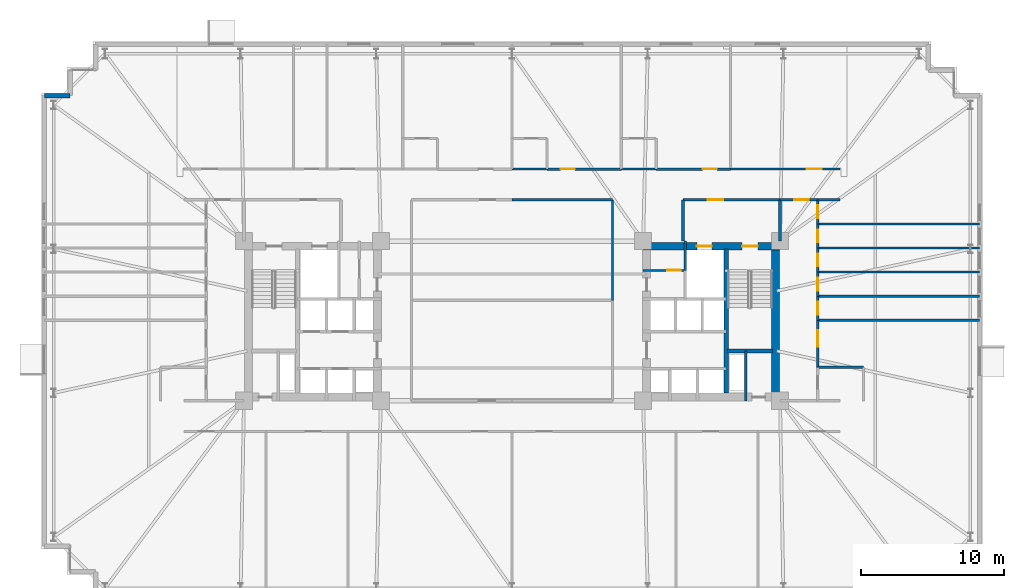
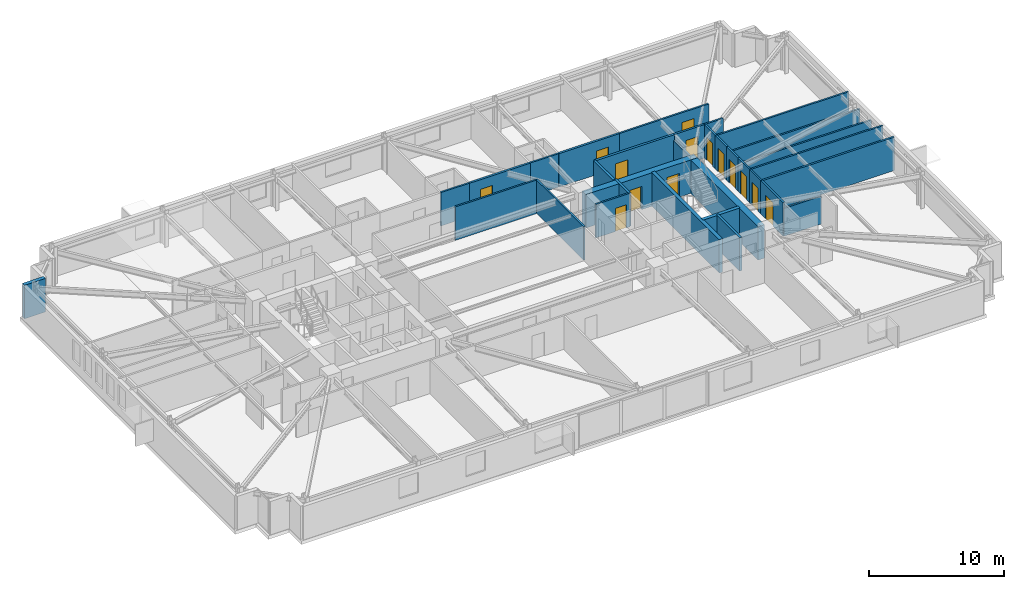
# One storey, part 21 of 26: 32 walls, 14 doors, 14 openings.
"""IFC4 building model written with IfcOpenShell, lengths in metres."""

from ifc_helpers import new_model, si_unit, direction, frame, frame_2d, origin, place, context, subcontext, project, spatial, rectangle, extrude, material, layer, layer_set, type_object, element, fill, save


model = new_model("IFC4")

# Units and contexts
model_context = context("Model", 3, precision=1e-05, world=origin(), true_north=direction((0.0, 1.0)))
body_context = subcontext(model_context, "Body", "Model", "MODEL_VIEW")
ifc_project = project(units=[si_unit("LENGTHUNIT", "METRE"), si_unit("AREAUNIT", "SQUARE_METRE"), si_unit("VOLUMEUNIT", "CUBIC_METRE"), si_unit("PLANEANGLEUNIT", "RADIAN"), si_unit("MASSUNIT", "GRAM", prefix="KILO")], contexts=[model_context])

# Site, building, storey
site_placement = place(None, origin())
site = spatial("IfcSite", under=ifc_project, at=site_placement, CompositionType="ELEMENT")
building_placement = place(site_placement, origin())
building = spatial("IfcBuilding", under=site, at=building_placement, Name="Qobustan Lattice House", CompositionType="ELEMENT")
storey_placement = place(building_placement, frame((0.0, 0.0, 47.10009765625)))
storey = spatial("IfcBuildingStorey", under=building, at=storey_placement, Name="L12", CompositionType="ELEMENT", Elevation=47.10009765625)

# Wall, openings, doors
ifc_material_1 = material(Name="Concrete C60/75", Category="concrete")
ifc_layer_1 = layer(ifc_material_1, 0.56005859375)
ifc_layer_set_1 = layer_set([ifc_layer_1], Name="Concrete C60/75")
wall_type_1 = type_object("IfcWallType", Name="WAL-CORE-600", PredefinedType="SHEAR", material=ifc_layer_set_1)
wall_1_placement = place(storey_placement, frame((9.199951171875, 5.239990234375, 0.0), z_axis=(0.0, 0.0, 1.0), x_axis=(1.0, 0.0, 0.0)))
wall_1 = element("IfcWall", 1, at=wall_1_placement, inside=storey, type_object=wall_type_1, Name="L12 split-core shear wall CE-N", PredefinedType="SHEAR", context=body_context, shape_type="SweptSolid", body=[
    extrude(rectangle(XDim=9.60009765625, YDim=0.56005859375, at=frame_2d((4.800048828125, 0.0))), origin(), (0.0, 0.0, 1.0), 3.034912109375),
])
opening_1_placement = place(wall_1_placement, frame((6.949951171875, 0.0, 0.0)))
opening_1 = element("IfcOpeningElement", 2, at=opening_1_placement, cuts=wall_1, Name="Opening SD-01", PredefinedType="OPENING", context=body_context, shape_type="SweptSolid", body=[
    extrude(rectangle(XDim=1.10009765625, YDim=2.14990234375, at=frame_2d((0.550048828125, 1.074951171875))), frame((0.0, 0.2900390625, 0.0), z_axis=(0.0, -1.0, 0.0), x_axis=(1.0, 0.0, 0.0)), (0.0, 0.0, 1.0), 0.580078125),
])
opening_2_placement = place(wall_1_placement, frame((3.77490234375, 0.0, 0.0)))
opening_2 = element("IfcOpeningElement", 3, at=opening_2_placement, cuts=wall_1, Name="Opening LD-01", PredefinedType="OPENING", context=body_context, shape_type="SweptSolid", body=[
    extrude(rectangle(XDim=1.050048828125, YDim=2.10009765625, at=frame_2d((0.52490234375, 1.050048828125))), frame((0.0, 0.2900390625, 0.0), z_axis=(0.0, -1.0, 0.0), x_axis=(1.0, 0.0, 0.0)), (0.0, 0.0, 1.0), 0.580078125),
])
ifc_material_2 = material(Name="Persian walnut timber and steel frame door", Category="steel")
door_type_1 = type_object("IfcDoorType", Name="DOR-LIFT-LD-1050x2100", OperationType="NOTDEFINED", PredefinedType="DOOR", material=ifc_material_2)
door_1_placement = place(opening_2_placement, origin())
door_1 = element("IfcDoor", 4, at=door_1_placement, inside=storey, type_object=door_type_1, Name="L12 firefighting lift FF-E landing door", OperationType="DOUBLE_DOOR_SLIDING", OverallHeight=2.10009765625, OverallWidth=1.050048828125, PredefinedType="DOOR", context=body_context, shape_type="SweptSolid", body=[
    extrude(rectangle(XDim=1.050048828125, YDim=2.10009765625, at=frame_2d((0.52490234375, 1.050048828125))), frame((0.0, 0.02490234375, 0.0), z_axis=(0.0, -1.0, 0.0), x_axis=(1.0, 0.0, 0.0)), (0.0, 0.0, 1.0), 0.050048828125),
])
fill(opening_2, door_1)
ifc_material_3 = material(Name="Persian walnut timber and steel frame door", Category="steel")
door_type_2 = type_object("IfcDoorType", Name="DOR-STAIR-FD-1100x2150", OperationType="NOTDEFINED", PredefinedType="DOOR", material=ifc_material_3)
door_2_placement = place(opening_1_placement, origin())
door_2 = element("IfcDoor", 5, at=door_2_placement, inside=storey, type_object=door_type_2, Name="L12 exit stair ST-E1 fire door", OperationType="SINGLE_SWING_LEFT", OverallHeight=2.14990234375, OverallWidth=1.10009765625, PredefinedType="DOOR", context=body_context, shape_type="SweptSolid", body=[
    extrude(rectangle(XDim=1.10009765625, YDim=2.14990234375, at=frame_2d((0.550048828125, 1.074951171875))), frame((0.0, 0.02490234375, 0.0), z_axis=(0.0, -1.0, 0.0), x_axis=(1.0, 0.0, 0.0)), (0.0, 0.0, 1.0), 0.050048828125),
])
fill(opening_1, door_2)

# Walls
wall_2_placement = place(storey_placement, frame((18.489990234375, -5.050048828125, 0.0), z_axis=(0.0, 0.0, 1.0), x_axis=(0.0, 1.0, 0.0)))
element("IfcWall", 6, at=wall_2_placement, inside=storey, type_object=wall_type_1, Name="L12 split-core shear wall CE-E", PredefinedType="SHEAR", context=body_context, shape_type="SweptSolid", body=[
    extrude(rectangle(XDim=10.10009765625, YDim=0.56005859375, at=frame_2d((5.050048828125, 0.0))), origin(), (0.0, 0.0, 1.0), 3.034912109375),
])
ifc_material_4 = material(Name="Concrete C50/60", Category="concrete")
ifc_layer_2 = layer(ifc_material_4, 0.280029296875)
ifc_layer_set_2 = layer_set([ifc_layer_2], Name="Concrete C50/60")
wall_type_2 = type_object("IfcWallType", Name="WAL-CORE-SPINE-280", PredefinedType="SHEAR", material=ifc_layer_set_2)
wall_3_placement = place(storey_placement, frame((15.02001953125, -5.050048828125, 0.0), z_axis=(0.0, 0.0, 1.0), x_axis=(0.0, 1.0, 0.0)))
element("IfcWall", 7, at=wall_3_placement, inside=storey, type_object=wall_type_2, Name="L12 split-core shear wall CE-M", PredefinedType="SHEAR", context=body_context, shape_type="SweptSolid", body=[
    extrude(rectangle(XDim=10.10009765625, YDim=0.300048828125, at=frame_2d((5.050048828125, 0.0))), origin(), (0.0, 0.0, 1.0), 3.034912109375),
])
wall_4_placement = place(storey_placement, frame((15.10009765625, -2.110107421875, 0.0), z_axis=(0.0, 0.0, 1.0), x_axis=(1.0, 0.0, 0.0)))
element("IfcWall", 8, at=wall_4_placement, inside=storey, type_object=wall_type_2, Name="L12 split-core shear wall CE-ST", PredefinedType="SHEAR", context=body_context, shape_type="SweptSolid", body=[
    extrude(rectangle(XDim=3.179931640625, YDim=0.300048828125, at=frame_2d((1.58984375, 0.0))), origin(), (0.0, 0.0, 1.0), 3.034912109375),
])
ifc_material_5 = material(Name="Precast concrete C40/50", Category="concrete")
ifc_layer_3 = layer(ifc_material_5, 0.320068359375)
ifc_layer_set_3 = layer_set([ifc_layer_3], Name="Precast concrete C40/50")
wall_type_3 = type_object("IfcWallType", Name="WAL-EXT-STONE-320", PredefinedType="SOLIDWALL", material=ifc_layer_set_3)
wall_5_placement = place(storey_placement, frame((-32.800048828125, 15.800048828125, 0.0), z_axis=(0.0, 0.0, 1.0), x_axis=(1.0, 0.0, 0.0)))
element("IfcWall", 9, at=wall_5_placement, inside=storey, type_object=wall_type_3, Name="L12 exterior limestone-clad wall 6", PredefinedType="SOLIDWALL", context=body_context, shape_type="SweptSolid", body=[
    extrude(rectangle(XDim=1.800048828125, YDim=0.320068359375, at=frame_2d((0.89990234375, 0.0))), origin(), (0.0, 0.0, 1.0), 3.034912109375),
])

# Wall, opening, door
ifc_material_6 = material(Name="Gypsum fireboard acoustic partition", Category="gypsum")
ifc_layer_4 = layer(ifc_material_6, 0.179931640625)
ifc_layer_set_4 = layer_set([ifc_layer_4], Name="Gypsum fireboard acoustic partition")
wall_type_4 = type_object("IfcWallType", Name="WAL-FIRE-180", PredefinedType="PARTITIONING", material=ifc_layer_set_4)
wall_6_placement = place(storey_placement, frame((21.449951171875, 8.5, 0.0), z_axis=(0.0, 0.0, 1.0), x_axis=(-1.0, 0.0, 0.0)))
wall_6 = element("IfcWall", 10, at=wall_6_placement, inside=storey, type_object=wall_type_4, Name="L12 interior partition 46", PredefinedType="PARTITIONING", context=body_context, shape_type="SweptSolid", body=[
    extrude(rectangle(XDim=2.64990234375, YDim=0.179931640625, at=frame_2d((1.324951171875, 0.0))), origin(), (0.0, 0.0, 1.0), 3.034912109375),
])
opening_3_placement = place(wall_6_placement, frame((0.64111328125, 0.0, 0.0)))
opening_3 = element("IfcOpeningElement", 11, at=opening_3_placement, cuts=wall_6, Name="Opening FD-02", PredefinedType="OPENING", context=body_context, shape_type="SweptSolid", body=[
    extrude(rectangle(XDim=1.0, YDim=2.14990234375, at=frame_2d((0.5, 1.074951171875))), frame((0.0, 0.099853515625, 0.0), z_axis=(0.0, -1.0, 0.0), x_axis=(1.0, 0.0, 0.0)), (0.0, 0.0, 1.0), 0.199951171875),
])
ifc_material_7 = material(Name="Persian walnut timber and steel frame door", Category="steel")
door_type_3 = type_object("IfcDoorType", Name="DOR-UNIT-FD-1000x2150", OperationType="NOTDEFINED", PredefinedType="DOOR", material=ifc_material_7)
door_3_placement = place(opening_3_placement, origin())
door_3 = element("IfcDoor", 12, at=door_3_placement, inside=storey, type_object=door_type_3, Name="L12 North-east floor corridor to Residence entrance hall L12E door", OperationType="SINGLE_SWING_RIGHT", OverallHeight=2.14990234375, OverallWidth=1.0, PredefinedType="DOOR", context=body_context, shape_type="SweptSolid", body=[
    extrude(rectangle(XDim=1.0, YDim=2.14990234375, at=frame_2d((0.5, 1.074951171875))), frame((0.0, 0.02490234375, 0.0), z_axis=(0.0, -1.0, 0.0), x_axis=(1.0, 0.0, 0.0)), (0.0, 0.0, 1.0), 0.050048828125),
])
fill(opening_3, door_3)

wall_7_placement = place(storey_placement, frame((2.449951171875, 10.64990234375, 0.0), z_axis=(0.0, 0.0, 1.0), x_axis=(1.0, 0.0, 0.0)))
wall_7 = element("IfcWall", 13, at=wall_7_placement, inside=storey, type_object=wall_type_4, Name="L12 interior partition 48", PredefinedType="PARTITIONING", context=body_context, shape_type="SweptSolid", body=[
    extrude(rectangle(XDim=5.217041015625, YDim=0.179931640625, at=frame_2d((2.6083984375, 0.0))), origin(), (0.0, 0.0, 1.0), 3.034912109375),
])
opening_4_placement = place(wall_7_placement, frame((0.962158203125, 0.0, 0.0)))
opening_4 = element("IfcOpeningElement", 14, at=opening_4_placement, cuts=wall_7, Name="Opening FD-02", PredefinedType="OPENING", context=body_context, shape_type="SweptSolid", body=[
    extrude(rectangle(XDim=1.0, YDim=2.14990234375, at=frame_2d((0.5, 1.074951171875))), frame((0.0, 0.099853515625, 0.0), z_axis=(0.0, -1.0, 0.0), x_axis=(1.0, 0.0, 0.0)), (0.0, 0.0, 1.0), 0.199951171875),
])
door_4_placement = place(opening_4_placement, origin())
door_4 = element("IfcDoor", 15, at=door_4_placement, inside=storey, type_object=door_type_3, Name="L12 North-east floor corridor to Kitchenette and studio apartment L12-N4 door", OperationType="SINGLE_SWING_LEFT", OverallHeight=2.14990234375, OverallWidth=1.0, PredefinedType="DOOR", context=body_context, shape_type="SweptSolid", body=[
    extrude(rectangle(XDim=1.0, YDim=2.14990234375, at=frame_2d((0.5, 1.074951171875))), frame((0.0, 0.02490234375, 0.0), z_axis=(0.0, -1.0, 0.0), x_axis=(1.0, 0.0, 0.0)), (0.0, 0.0, 1.0), 0.050048828125),
])
fill(opening_4, door_4)

wall_8_placement = place(storey_placement, frame((10.116943359375, 10.64990234375, 0.0), z_axis=(0.0, 0.0, 1.0), x_axis=(1.0, 0.0, 0.0)))
wall_8 = element("IfcWall", 16, at=wall_8_placement, inside=storey, type_object=wall_type_4, Name="L12 interior partition 50", PredefinedType="PARTITIONING", context=body_context, shape_type="SweptSolid", body=[
    extrude(rectangle(XDim=5.216064453125, YDim=0.179931640625, at=frame_2d((2.60791015625, 0.0))), origin(), (0.0, 0.0, 1.0), 3.034912109375),
])
opening_5_placement = place(wall_8_placement, frame((3.25390625, 0.0, 0.0)))
opening_5 = element("IfcOpeningElement", 17, at=opening_5_placement, cuts=wall_8, Name="Opening FD-02", PredefinedType="OPENING", context=body_context, shape_type="SweptSolid", body=[
    extrude(rectangle(XDim=1.0, YDim=2.14990234375, at=frame_2d((0.5, 1.074951171875))), frame((0.0, 0.099853515625, 0.0), z_axis=(0.0, -1.0, 0.0), x_axis=(1.0, 0.0, 0.0)), (0.0, 0.0, 1.0), 0.199951171875),
])
door_5_placement = place(opening_5_placement, origin())
door_5 = element("IfcDoor", 18, at=door_5_placement, inside=storey, type_object=door_type_3, Name="L12 North-east floor corridor to Kitchenette and studio apartment L12-N5 door", OperationType="SINGLE_SWING_RIGHT", OverallHeight=2.14990234375, OverallWidth=1.0, PredefinedType="DOOR", context=body_context, shape_type="SweptSolid", body=[
    extrude(rectangle(XDim=1.0, YDim=2.14990234375, at=frame_2d((0.5, 1.074951171875))), frame((0.0, 0.02490234375, 0.0), z_axis=(0.0, -1.0, 0.0), x_axis=(1.0, 0.0, 0.0)), (0.0, 0.0, 1.0), 0.050048828125),
])
fill(opening_5, door_5)

ifc_material_8 = material(Name="Acoustic twin-stud gypsum partition", Category="gypsum")
ifc_layer_5 = layer(ifc_material_8, 0.14990234375)
ifc_layer_set_5 = layer_set([ifc_layer_5], Name="Acoustic twin-stud gypsum partition")
wall_type_5 = type_object("IfcWallType", Name="WAL-PART-150", PredefinedType="PARTITIONING", material=ifc_layer_set_5)
wall_9_placement = place(storey_placement, frame((12.14990234375, 3.550048828125, 0.0), z_axis=(0.0, 0.0, 1.0), x_axis=(-1.0, 0.0, 0.0)))
wall_9 = element("IfcWall", 19, at=wall_9_placement, inside=storey, type_object=wall_type_5, Name="L12 interior partition 25", PredefinedType="PARTITIONING", context=body_context, shape_type="SweptSolid", body=[
    extrude(rectangle(XDim=2.949951171875, YDim=0.14990234375, at=frame_2d((1.47509765625, 0.0))), origin(), (0.0, 0.0, 1.0), 3.034912109375),
])
opening_6_placement = place(wall_9_placement, frame((0.324951171875, 0.0, 0.0)))
opening_6 = element("IfcOpeningElement", 20, at=opening_6_placement, cuts=wall_9, Name="Opening ID-01", PredefinedType="OPENING", context=body_context, shape_type="SweptSolid", body=[
    extrude(rectangle(XDim=0.949951171875, YDim=2.10009765625, at=frame_2d((0.47509765625, 1.050048828125))), frame((0.0, 0.0849609375, 0.0), z_axis=(0.0, -1.0, 0.0), x_axis=(1.0, 0.0, 0.0)), (0.0, 0.0, 1.0), 0.169921875),
])
ifc_material_9 = material(Name="Persian walnut timber and steel frame door", Category="steel")
door_type_4 = type_object("IfcDoorType", Name="DOR-ROOM-950x2100", OperationType="NOTDEFINED", PredefinedType="DOOR", material=ifc_material_9)
door_6_placement = place(opening_6_placement, origin())
door_6 = element("IfcDoor", 21, at=door_6_placement, inside=storey, type_object=door_type_4, Name="L12 Housekeeping utility foyer to Cleaner cupboard door", OperationType="SINGLE_SWING_LEFT", OverallHeight=2.10009765625, OverallWidth=0.949951171875, PredefinedType="DOOR", context=body_context, shape_type="SweptSolid", body=[
    extrude(rectangle(XDim=0.949951171875, YDim=2.10009765625, at=frame_2d((0.47509765625, 1.050048828125))), frame((0.0, 0.02490234375, 0.0), z_axis=(0.0, -1.0, 0.0), x_axis=(1.0, 0.0, 0.0)), (0.0, 0.0, 1.0), 0.050048828125),
])
fill(opening_6, door_6)

# Wall
wall_10_placement = place(storey_placement, frame((23.0, 8.5, 0.0), z_axis=(0.0, 0.0, 1.0), x_axis=(-1.0, 0.0, 0.0)))
element("IfcWall", 22, at=wall_10_placement, inside=storey, type_object=wall_type_5, Name="L12 interior partition 47", PredefinedType="PARTITIONING", context=body_context, shape_type="SweptSolid", body=[
    extrude(rectangle(XDim=1.550048828125, YDim=0.14990234375, at=frame_2d((0.77490234375, 0.0))), origin(), (0.0, 0.0, 1.0), 3.034912109375),
])

# Wall, opening, door
wall_11_placement = place(storey_placement, frame((15.3330078125, 10.64990234375, 0.0), z_axis=(0.0, 0.0, 1.0), x_axis=(1.0, 0.0, 0.0)))
wall_11 = element("IfcWall", 23, at=wall_11_placement, inside=storey, type_object=wall_type_5, Name="L12 interior partition 52", PredefinedType="PARTITIONING", context=body_context, shape_type="SweptSolid", body=[
    extrude(rectangle(XDim=7.6669921875, YDim=0.14990234375, at=frame_2d((3.83349609375, 0.0))), origin(), (0.0, 0.0, 1.0), 3.034912109375),
])
opening_7_placement = place(wall_11_placement, frame((5.35498046875, 0.0, 0.0)))
opening_7 = element("IfcOpeningElement", 24, at=opening_7_placement, cuts=wall_11, Name="Opening ID-02", PredefinedType="OPENING", context=body_context, shape_type="SweptSolid", body=[
    extrude(rectangle(XDim=1.050048828125, YDim=2.14990234375, at=frame_2d((0.52490234375, 1.074951171875))), frame((0.0, 0.0849609375, 0.0), z_axis=(0.0, -1.0, 0.0), x_axis=(1.0, 0.0, 0.0)), (0.0, 0.0, 1.0), 0.169921875),
])
ifc_material_10 = material(Name="Persian walnut timber and steel frame door", Category="steel")
door_type_5 = type_object("IfcDoorType", Name="DOR-STUDY-1050x2150", OperationType="NOTDEFINED", PredefinedType="DOOR", material=ifc_material_10)
door_7_placement = place(opening_7_placement, origin())
door_7 = element("IfcDoor", 25, at=door_7_placement, inside=storey, type_object=door_type_5, Name="L12 North-east floor corridor to Focus study room N6 door", OperationType="SINGLE_SWING_LEFT", OverallHeight=2.14990234375, OverallWidth=1.050048828125, PredefinedType="DOOR", context=body_context, shape_type="SweptSolid", body=[
    extrude(rectangle(XDim=1.050048828125, YDim=2.14990234375, at=frame_2d((0.52490234375, 1.074951171875))), frame((0.0, 0.02490234375, 0.0), z_axis=(0.0, -1.0, 0.0), x_axis=(1.0, 0.0, 0.0)), (0.0, 0.0, 1.0), 0.050048828125),
])
fill(opening_7, door_7)

# Walls
for number, where, z_axis, x_axis, name in (
    (26, (7.050048828125, 8.5, 0.0), (0.0, 0.0, 1.0), (-1.0, 0.0, 0.0), "L12 interior partition 53"),
    (27, (7.050048828125, 1.449951171875, 0.0), (0.0, 0.0, 1.0), (0.0, 1.0, 0.0), "L12 interior partition 69"),
):
    element("IfcWall", number, at=place(storey_placement, frame(where, z_axis=z_axis, x_axis=x_axis)), inside=storey, type_object=wall_type_5, Name=name, PredefinedType="PARTITIONING", context=body_context, shape_type="SweptSolid", body=[
        extrude(rectangle(XDim=7.050048828125, YDim=0.14990234375, at=frame_2d((3.52490234375, 0.0))), origin(), (0.0, 0.0, 1.0), 3.034912109375),
    ])

# Wall, opening, door
wall_12_placement = place(storey_placement, frame((21.449951171875, 1.73193359375, 0.0), z_axis=(0.0, 0.0, 1.0), x_axis=(0.0, -1.0, 0.0)))
wall_12 = element("IfcWall", 28, at=wall_12_placement, inside=storey, type_object=wall_type_5, Name="L12 interior partition 86", PredefinedType="PARTITIONING", context=body_context, shape_type="SweptSolid", body=[
    extrude(rectangle(XDim=1.69189453125, YDim=0.14990234375, at=frame_2d((0.845947265625, 0.0))), origin(), (0.0, 0.0, 1.0), 3.034912109375),
])
opening_8_placement = place(wall_12_placement, frame((0.39599609375, 0.0, 0.0)))
opening_8 = element("IfcOpeningElement", 29, at=opening_8_placement, cuts=wall_12, Name="Opening WD-01", PredefinedType="OPENING", context=body_context, shape_type="SweptSolid", body=[
    extrude(rectangle(XDim=0.89990234375, YDim=2.10009765625, at=frame_2d((0.449951171875, 1.050048828125))), frame((0.0, 0.0849609375, 0.0), z_axis=(0.0, -1.0, 0.0), x_axis=(1.0, 0.0, 0.0)), (0.0, 0.0, 1.0), 0.169921875),
])
ifc_material_11 = material(Name="Persian walnut timber and steel frame door", Category="steel")
door_type_6 = type_object("IfcDoorType", Name="DOR-WET-900x2100", OperationType="NOTDEFINED", PredefinedType="DOOR", material=ifc_material_11)
door_8_placement = place(opening_8_placement, origin())
door_8 = element("IfcDoor", 30, at=door_8_placement, inside=storey, type_object=door_type_6, Name="L12 Residence entrance hall L12E to Cluster bedroom L12E1 door", OperationType="SINGLE_SWING_RIGHT", OverallHeight=2.10009765625, OverallWidth=0.89990234375, PredefinedType="DOOR", context=body_context, shape_type="SweptSolid", body=[
    extrude(rectangle(XDim=0.89990234375, YDim=2.10009765625, at=frame_2d((0.449951171875, 1.050048828125))), frame((0.0, 0.02490234375, 0.0), z_axis=(0.0, -1.0, 0.0), x_axis=(1.0, 0.0, 0.0)), (0.0, 0.0, 1.0), 0.050048828125),
])
fill(opening_8, door_8)

wall_13_placement = place(storey_placement, frame((21.449951171875, 3.424072265625, 0.0), z_axis=(0.0, 0.0, 1.0), x_axis=(0.0, -1.0, 0.0)))
wall_13 = element("IfcWall", 31, at=wall_13_placement, inside=storey, type_object=wall_type_5, Name="L12 interior partition 87", PredefinedType="PARTITIONING", context=body_context, shape_type="SweptSolid", body=[
    extrude(rectangle(XDim=1.692138671875, YDim=0.14990234375, at=frame_2d((0.84619140625, 0.0))), origin(), (0.0, 0.0, 1.0), 3.034912109375),
])
opening_9_placement = place(wall_13_placement, frame((0.39599609375, 0.0, 0.0)))
opening_9 = element("IfcOpeningElement", 32, at=opening_9_placement, cuts=wall_13, Name="Opening WD-01", PredefinedType="OPENING", context=body_context, shape_type="SweptSolid", body=[
    extrude(rectangle(XDim=0.89990234375, YDim=2.10009765625, at=frame_2d((0.449951171875, 1.050048828125))), frame((0.0, 0.0849609375, 0.0), z_axis=(0.0, -1.0, 0.0), x_axis=(1.0, 0.0, 0.0)), (0.0, 0.0, 1.0), 0.169921875),
])
door_9_placement = place(opening_9_placement, origin())
door_9 = element("IfcDoor", 33, at=door_9_placement, inside=storey, type_object=door_type_6, Name="L12 Residence entrance hall L12E to Cluster bedroom L12E2 door", OperationType="SINGLE_SWING_LEFT", OverallHeight=2.10009765625, OverallWidth=0.89990234375, PredefinedType="DOOR", context=body_context, shape_type="SweptSolid", body=[
    extrude(rectangle(XDim=0.89990234375, YDim=2.10009765625, at=frame_2d((0.449951171875, 1.050048828125))), frame((0.0, 0.02490234375, 0.0), z_axis=(0.0, -1.0, 0.0), x_axis=(1.0, 0.0, 0.0)), (0.0, 0.0, 1.0), 0.050048828125),
])
fill(opening_9, door_9)

wall_14_placement = place(storey_placement, frame((21.449951171875, 5.115966796875, 0.0), z_axis=(0.0, 0.0, 1.0), x_axis=(0.0, -1.0, 0.0)))
wall_14 = element("IfcWall", 34, at=wall_14_placement, inside=storey, type_object=wall_type_5, Name="L12 interior partition 88", PredefinedType="PARTITIONING", context=body_context, shape_type="SweptSolid", body=[
    extrude(rectangle(XDim=1.69189453125, YDim=0.14990234375, at=frame_2d((0.845947265625, 0.0))), origin(), (0.0, 0.0, 1.0), 3.034912109375),
])
opening_10_placement = place(wall_14_placement, frame((0.39599609375, 0.0, 0.0)))
opening_10 = element("IfcOpeningElement", 35, at=opening_10_placement, cuts=wall_14, Name="Opening WD-01", PredefinedType="OPENING", context=body_context, shape_type="SweptSolid", body=[
    extrude(rectangle(XDim=0.89990234375, YDim=2.10009765625, at=frame_2d((0.449951171875, 1.050048828125))), frame((0.0, 0.0849609375, 0.0), z_axis=(0.0, -1.0, 0.0), x_axis=(1.0, 0.0, 0.0)), (0.0, 0.0, 1.0), 0.169921875),
])
door_10_placement = place(opening_10_placement, origin())
door_10 = element("IfcDoor", 36, at=door_10_placement, inside=storey, type_object=door_type_6, Name="L12 Residence entrance hall L12E to Cluster bedroom L12E3 door", OperationType="SINGLE_SWING_RIGHT", OverallHeight=2.10009765625, OverallWidth=0.89990234375, PredefinedType="DOOR", context=body_context, shape_type="SweptSolid", body=[
    extrude(rectangle(XDim=0.89990234375, YDim=2.10009765625, at=frame_2d((0.449951171875, 1.050048828125))), frame((0.0, 0.02490234375, 0.0), z_axis=(0.0, -1.0, 0.0), x_axis=(1.0, 0.0, 0.0)), (0.0, 0.0, 1.0), 0.050048828125),
])
fill(opening_10, door_10)

wall_15_placement = place(storey_placement, frame((21.449951171875, 6.80810546875, 0.0), z_axis=(0.0, 0.0, 1.0), x_axis=(0.0, -1.0, 0.0)))
wall_15 = element("IfcWall", 37, at=wall_15_placement, inside=storey, type_object=wall_type_5, Name="L12 interior partition 89", PredefinedType="PARTITIONING", context=body_context, shape_type="SweptSolid", body=[
    extrude(rectangle(XDim=1.692138671875, YDim=0.14990234375, at=frame_2d((0.84619140625, 0.0))), origin(), (0.0, 0.0, 1.0), 3.034912109375),
])
opening_11_placement = place(wall_15_placement, frame((0.39599609375, 0.0, 0.0)))
opening_11 = element("IfcOpeningElement", 38, at=opening_11_placement, cuts=wall_15, Name="Opening WD-01", PredefinedType="OPENING", context=body_context, shape_type="SweptSolid", body=[
    extrude(rectangle(XDim=0.89990234375, YDim=2.10009765625, at=frame_2d((0.449951171875, 1.050048828125))), frame((0.0, 0.0849609375, 0.0), z_axis=(0.0, -1.0, 0.0), x_axis=(1.0, 0.0, 0.0)), (0.0, 0.0, 1.0), 0.169921875),
])
door_11_placement = place(opening_11_placement, origin())
door_11 = element("IfcDoor", 39, at=door_11_placement, inside=storey, type_object=door_type_6, Name="L12 Residence entrance hall L12E to Cluster bedroom L12E4 door", OperationType="SINGLE_SWING_LEFT", OverallHeight=2.10009765625, OverallWidth=0.89990234375, PredefinedType="DOOR", context=body_context, shape_type="SweptSolid", body=[
    extrude(rectangle(XDim=0.89990234375, YDim=2.10009765625, at=frame_2d((0.449951171875, 1.050048828125))), frame((0.0, 0.02490234375, 0.0), z_axis=(0.0, -1.0, 0.0), x_axis=(1.0, 0.0, 0.0)), (0.0, 0.0, 1.0), 0.050048828125),
])
fill(opening_11, door_11)

wall_16_placement = place(storey_placement, frame((21.449951171875, 8.5, 0.0), z_axis=(0.0, 0.0, 1.0), x_axis=(0.0, -1.0, 0.0)))
wall_16 = element("IfcWall", 40, at=wall_16_placement, inside=storey, type_object=wall_type_5, Name="L12 interior partition 90", PredefinedType="PARTITIONING", context=body_context, shape_type="SweptSolid", body=[
    extrude(rectangle(XDim=1.69189453125, YDim=0.14990234375, at=frame_2d((0.845947265625, 0.0))), origin(), (0.0, 0.0, 1.0), 3.034912109375),
])
opening_12_placement = place(wall_16_placement, frame((0.39599609375, 0.0, 0.0)))
opening_12 = element("IfcOpeningElement", 41, at=opening_12_placement, cuts=wall_16, Name="Opening WD-01", PredefinedType="OPENING", context=body_context, shape_type="SweptSolid", body=[
    extrude(rectangle(XDim=0.89990234375, YDim=2.10009765625, at=frame_2d((0.449951171875, 1.050048828125))), frame((0.0, 0.0849609375, 0.0), z_axis=(0.0, -1.0, 0.0), x_axis=(1.0, 0.0, 0.0)), (0.0, 0.0, 1.0), 0.169921875),
])
door_12_placement = place(opening_12_placement, origin())
door_12 = element("IfcDoor", 42, at=door_12_placement, inside=storey, type_object=door_type_6, Name="L12 Residence entrance hall L12E to Cluster bedroom L12E5 door", OperationType="SINGLE_SWING_RIGHT", OverallHeight=2.10009765625, OverallWidth=0.89990234375, PredefinedType="DOOR", context=body_context, shape_type="SweptSolid", body=[
    extrude(rectangle(XDim=0.89990234375, YDim=2.10009765625, at=frame_2d((0.449951171875, 1.050048828125))), frame((0.0, 0.02490234375, 0.0), z_axis=(0.0, -1.0, 0.0), x_axis=(1.0, 0.0, 0.0)), (0.0, 0.0, 1.0), 0.050048828125),
])
fill(opening_12, door_12)

# Walls
wall_17_placement = place(storey_placement, frame((21.449951171875, 1.73193359375, 0.0), z_axis=(0.0, 0.0, 1.0), x_axis=(1.0, 0.0, 0.0)))
element("IfcWall", 43, at=wall_17_placement, inside=storey, type_object=wall_type_5, Name="L12 interior partition 94", PredefinedType="PARTITIONING", context=body_context, shape_type="SweptSolid", body=[
    extrude(rectangle(XDim=11.35009765625, YDim=0.14990234375, at=frame_2d((5.675048828125, 0.0))), origin(), (0.0, 0.0, 1.0), 3.034912109375),
])
for number, where, z_axis, x_axis, name in (
    (44, (21.449951171875, 3.424072265625, 0.0), (0.0, 0.0, 1.0), (1.0, 0.0, 0.0), "L12 interior partition 95"),
    (45, (21.449951171875, 5.115966796875, 0.0), (0.0, 0.0, 1.0), (1.0, 0.0, 0.0), "L12 interior partition 96"),
):
    element("IfcWall", number, at=place(storey_placement, frame(where, z_axis=z_axis, x_axis=x_axis)), inside=storey, type_object=wall_type_5, Name=name, PredefinedType="PARTITIONING", context=body_context, shape_type="SweptSolid", body=[
        extrude(rectangle(XDim=11.35009765625, YDim=0.14990234375, at=frame_2d((5.675048828125, 0.0))), origin(), (0.0, 0.0, 1.0), 2.52001953125),
    ])
wall_18_placement = place(storey_placement, frame((21.449951171875, 6.80810546875, 0.0), z_axis=(0.0, 0.0, 1.0), x_axis=(1.0, 0.0, 0.0)))
element("IfcWall", 46, at=wall_18_placement, inside=storey, type_object=wall_type_5, Name="L12 interior partition 97", PredefinedType="PARTITIONING", context=body_context, shape_type="SweptSolid", body=[
    extrude(rectangle(XDim=11.35009765625, YDim=0.14990234375, at=frame_2d((5.675048828125, 0.0))), origin(), (0.0, 0.0, 1.0), 3.034912109375),
])

# Wall, opening, door
ifc_material_12 = material(Name="High-mass acoustic twin-stud partition", Category="gypsum")
ifc_layer_6 = layer(ifc_material_12, 0.1650390625)
ifc_layer_set_6 = layer_set([ifc_layer_6], Name="High-mass acoustic twin-stud partition")
wall_type_6 = type_object("IfcWallType", Name="WAL-PART-165", PredefinedType="PARTITIONING", material=ifc_layer_set_6)
wall_19_placement = place(storey_placement, frame((21.449951171875, 0.0400390625, 0.0), z_axis=(0.0, 0.0, 1.0), x_axis=(0.0, -1.0, 0.0)))
wall_19 = element("IfcWall", 47, at=wall_19_placement, inside=storey, type_object=wall_type_6, Name="L12 interior partition 85", PredefinedType="PARTITIONING", context=body_context, shape_type="SweptSolid", body=[
    extrude(rectangle(XDim=3.2900390625, YDim=0.1650390625, at=frame_2d((1.64501953125, 0.0))), origin(), (0.0, 0.0, 1.0), 3.034912109375),
])
opening_13_placement = place(wall_19_placement, frame((0.702392578125, 0.0, 0.0)))
opening_13 = element("IfcOpeningElement", 48, at=opening_13_placement, cuts=wall_19, Name="Opening ID-03", PredefinedType="OPENING", context=body_context, shape_type="SweptSolid", body=[
    extrude(rectangle(XDim=1.14990234375, YDim=2.14990234375, at=frame_2d((0.574951171875, 1.074951171875))), frame((0.0, 0.092529296875, 0.0), z_axis=(0.0, -1.0, 0.0), x_axis=(1.0, 0.0, 0.0)), (0.0, 0.0, 1.0), 0.18505859375),
])
ifc_material_13 = material(Name="Persian walnut timber and steel frame door", Category="steel")
door_type_7 = type_object("IfcDoorType", Name="DOR-KITCH-1150x2150", OperationType="NOTDEFINED", PredefinedType="DOOR", material=ifc_material_13)
door_13_placement = place(opening_13_placement, origin())
door_13 = element("IfcDoor", 49, at=door_13_placement, inside=storey, type_object=door_type_7, Name="L12 Residence entrance hall L12E to Shared kitchen L12E door", OperationType="SINGLE_SWING_LEFT", OverallHeight=2.14990234375, OverallWidth=1.14990234375, PredefinedType="DOOR", context=body_context, shape_type="SweptSolid", body=[
    extrude(rectangle(XDim=1.14990234375, YDim=2.14990234375, at=frame_2d((0.574951171875, 1.074951171875))), frame((0.0, 0.02490234375, 0.0), z_axis=(0.0, -1.0, 0.0), x_axis=(1.0, 0.0, 0.0)), (0.0, 0.0, 1.0), 0.050048828125),
])
fill(opening_13, door_13)

# Wall
wall_20_placement = place(storey_placement, frame((21.449951171875, 0.0400390625, 0.0), z_axis=(0.0, 0.0, 1.0), x_axis=(1.0, 0.0, 0.0)))
element("IfcWall", 50, at=wall_20_placement, inside=storey, type_object=wall_type_6, Name="L12 interior partition 93", PredefinedType="PARTITIONING", context=body_context, shape_type="SweptSolid", body=[
    extrude(rectangle(XDim=11.35009765625, YDim=0.1650390625, at=frame_2d((5.675048828125, 0.0))), origin(), (0.0, 0.0, 1.0), 3.034912109375),
])

# Wall, opening, door
ifc_material_14 = material(Name="Two-hour gypsum fireboard acoustic partition", Category="gypsum")
ifc_layer_7 = layer(ifc_material_14, 0.199951171875)
ifc_layer_set_7 = layer_set([ifc_layer_7], Name="Two-hour gypsum fireboard acoustic partition")
wall_type_7 = type_object("IfcWallType", Name="WAL-PROT-200", PredefinedType="PARTITIONING", material=ifc_layer_set_7)
wall_21_placement = place(storey_placement, frame((18.800048828125, 8.5, 0.0), z_axis=(0.0, 0.0, 1.0), x_axis=(-1.0, 0.0, 0.0)))
wall_21 = element("IfcWall", 51, at=wall_21_placement, inside=storey, type_object=wall_type_7, Name="L12 interior partition 22", PredefinedType="PARTITIONING", context=body_context, shape_type="SweptSolid", body=[
    extrude(rectangle(XDim=6.800048828125, YDim=0.199951171875, at=frame_2d((3.39990234375, 0.0))), origin(), (0.0, 0.0, 1.0), 3.034912109375),
])
opening_14_placement = place(wall_21_placement, frame((3.985107421875, 0.0, 0.0)))
opening_14 = element("IfcOpeningElement", 52, at=opening_14_placement, cuts=wall_21, Name="Opening SD-01", PredefinedType="OPENING", context=body_context, shape_type="SweptSolid", body=[
    extrude(rectangle(XDim=1.10009765625, YDim=2.14990234375, at=frame_2d((0.550048828125, 1.074951171875))), frame((0.0, 0.10986328125, 0.0), z_axis=(0.0, -1.0, 0.0), x_axis=(1.0, 0.0, 0.0)), (0.0, 0.0, 1.0), 0.219970703125),
])
door_14_placement = place(opening_14_placement, origin())
door_14 = element("IfcDoor", 53, at=door_14_placement, inside=storey, type_object=door_type_2, Name="L12 East firefighting lift lobby to North-east floor corridor door", OperationType="SINGLE_SWING_RIGHT", OverallHeight=2.14990234375, OverallWidth=1.10009765625, PredefinedType="DOOR", context=body_context, shape_type="SweptSolid", body=[
    extrude(rectangle(XDim=1.10009765625, YDim=2.14990234375, at=frame_2d((0.550048828125, 1.074951171875))), frame((0.0, 0.02490234375, 0.0), z_axis=(0.0, -1.0, 0.0), x_axis=(1.0, 0.0, 0.0)), (0.0, 0.0, 1.0), 0.050048828125),
])
fill(opening_14, door_14)

# Walls
wall_22_placement = place(storey_placement, frame((12.0, 8.5, 0.0), z_axis=(0.0, 0.0, 1.0), x_axis=(0.0, -1.0, 0.0)))
element("IfcWall", 54, at=wall_22_placement, inside=storey, type_object=wall_type_7, Name="L12 interior partition 23", PredefinedType="PARTITIONING", context=body_context, shape_type="SweptSolid", body=[
    extrude(rectangle(XDim=2.89990234375, YDim=0.199951171875, at=frame_2d((1.449951171875, 0.0))), origin(), (0.0, 0.0, 1.0), 3.034912109375),
])
wall_23_placement = place(storey_placement, frame((18.800048828125, 5.60009765625, 0.0), z_axis=(0.0, 0.0, 1.0), x_axis=(0.0, 1.0, 0.0)))
element("IfcWall", 55, at=wall_23_placement, inside=storey, type_object=wall_type_7, Name="L12 interior partition 24", PredefinedType="PARTITIONING", context=body_context, shape_type="SweptSolid", body=[
    extrude(rectangle(XDim=2.89990234375, YDim=0.199951171875, at=frame_2d((1.449951171875, 0.0))), origin(), (0.0, 0.0, 1.0), 2.52001953125),
])
ifc_material_15 = material(Name="Concrete C40/50", Category="concrete")
ifc_layer_8 = layer(ifc_material_15, 0.199951171875)
ifc_layer_set_8 = layer_set([ifc_layer_8], Name="Concrete C40/50")
wall_type_8 = type_object("IfcWallType", Name="WAL-SHAFT-200", PredefinedType="PARTITIONING", material=ifc_layer_set_8)
wall_24_placement = place(storey_placement, frame((16.39990234375, -2.110107421875, 0.0), z_axis=(0.0, 0.0, 1.0), x_axis=(0.0, -1.0, 0.0)))
element("IfcWall", 56, at=wall_24_placement, inside=storey, type_object=wall_type_8, Name="L12 interior partition 19", PredefinedType="PARTITIONING", context=body_context, shape_type="SweptSolid", body=[
    extrude(rectangle(XDim=3.489990234375, YDim=0.199951171875, at=frame_2d((1.7451171875, 0.0))), origin(), (0.0, 0.0, 1.0), 3.034912109375),
])
wall_25_placement = place(storey_placement, frame((12.14990234375, 5.60009765625, 0.0), z_axis=(0.0, 0.0, 1.0), x_axis=(0.0, -1.0, 0.0)))
element("IfcWall", 57, at=wall_25_placement, inside=storey, type_object=wall_type_8, Name="L12 interior partition 21", PredefinedType="PARTITIONING", context=body_context, shape_type="SweptSolid", body=[
    extrude(rectangle(XDim=2.050048828125, YDim=0.199951171875, at=frame_2d((1.02490234375, 0.0))), origin(), (0.0, 0.0, 1.0), 3.034912109375),
])
ifc_material_16 = material(Name="Moisture-resistant acoustic plumbing wall", Category="gypsum")
ifc_layer_9 = layer(ifc_material_16, 0.14990234375)
ifc_layer_set_9 = layer_set([ifc_layer_9], Name="Moisture-resistant acoustic plumbing wall")
wall_type_9 = type_object("IfcWallType", Name="WAL-WET-150", PredefinedType="PLUMBINGWALL", material=ifc_layer_set_9)
for number, where, z_axis, x_axis, name in (
    (58, (0.0, 10.64990234375, 0.0), (0.0, 0.0, 1.0), (1.0, 0.0, 0.0), "L12 interior partition 49"),
    (59, (7.6669921875, 10.64990234375, 0.0), (0.0, 0.0, 1.0), (1.0, 0.0, 0.0), "L12 interior partition 51"),
):
    element("IfcWall", number, at=place(storey_placement, frame(where, z_axis=z_axis, x_axis=x_axis)), inside=storey, type_object=wall_type_9, Name=name, PredefinedType="PLUMBINGWALL", context=body_context, shape_type="SweptSolid", body=[
        extrude(rectangle(XDim=2.449951171875, YDim=0.14990234375, at=frame_2d((1.22509765625, 0.0))), origin(), (0.0, 0.0, 1.0), 3.034912109375),
    ])
wall_26_placement = place(storey_placement, frame((21.449951171875, -3.25, 0.0), z_axis=(0.0, 0.0, 1.0), x_axis=(1.0, 0.0, 0.0)))
element("IfcWall", 60, at=wall_26_placement, inside=storey, type_object=wall_type_9, Name="L12 interior partition 91", PredefinedType="PLUMBINGWALL", context=body_context, shape_type="SweptSolid", body=[
    extrude(rectangle(XDim=3.199951171875, YDim=0.14990234375, at=frame_2d((1.60009765625, 0.0))), origin(), (0.0, 0.0, 1.0), 2.52001953125),
])

save(model, "model.ifc")
